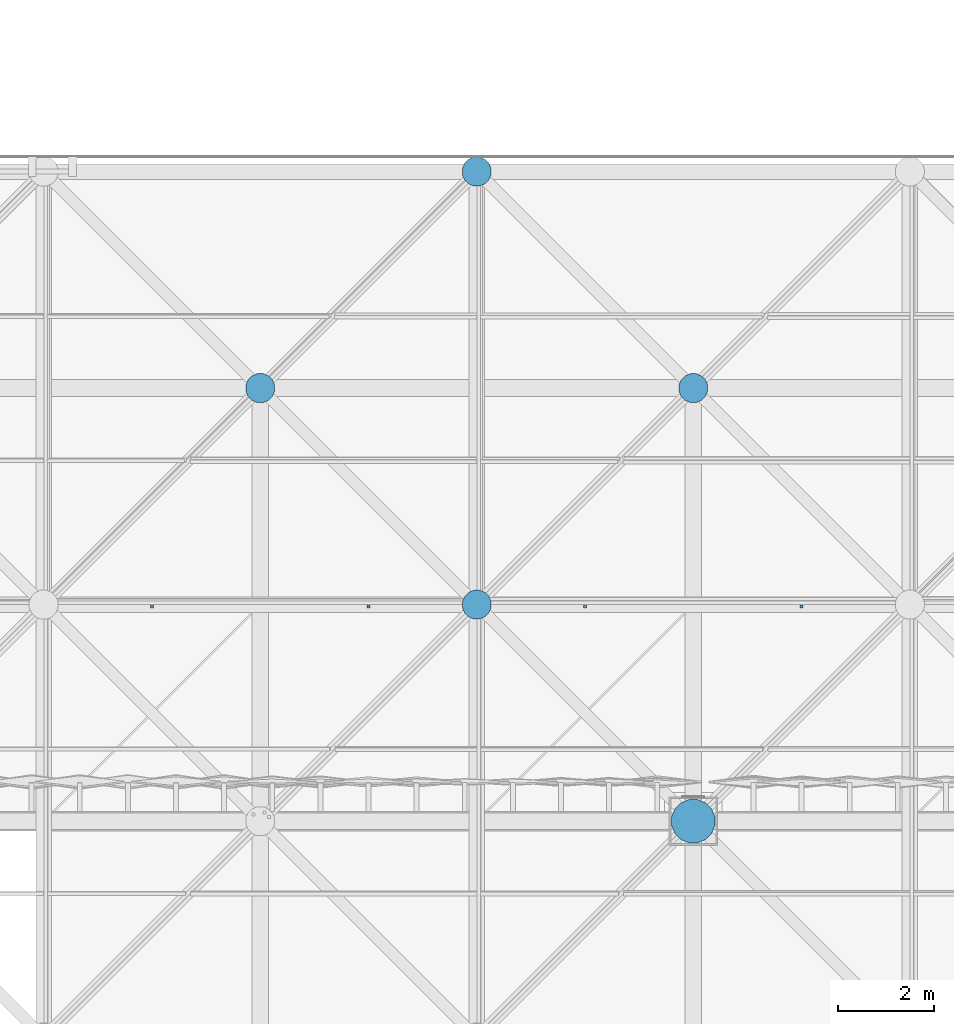
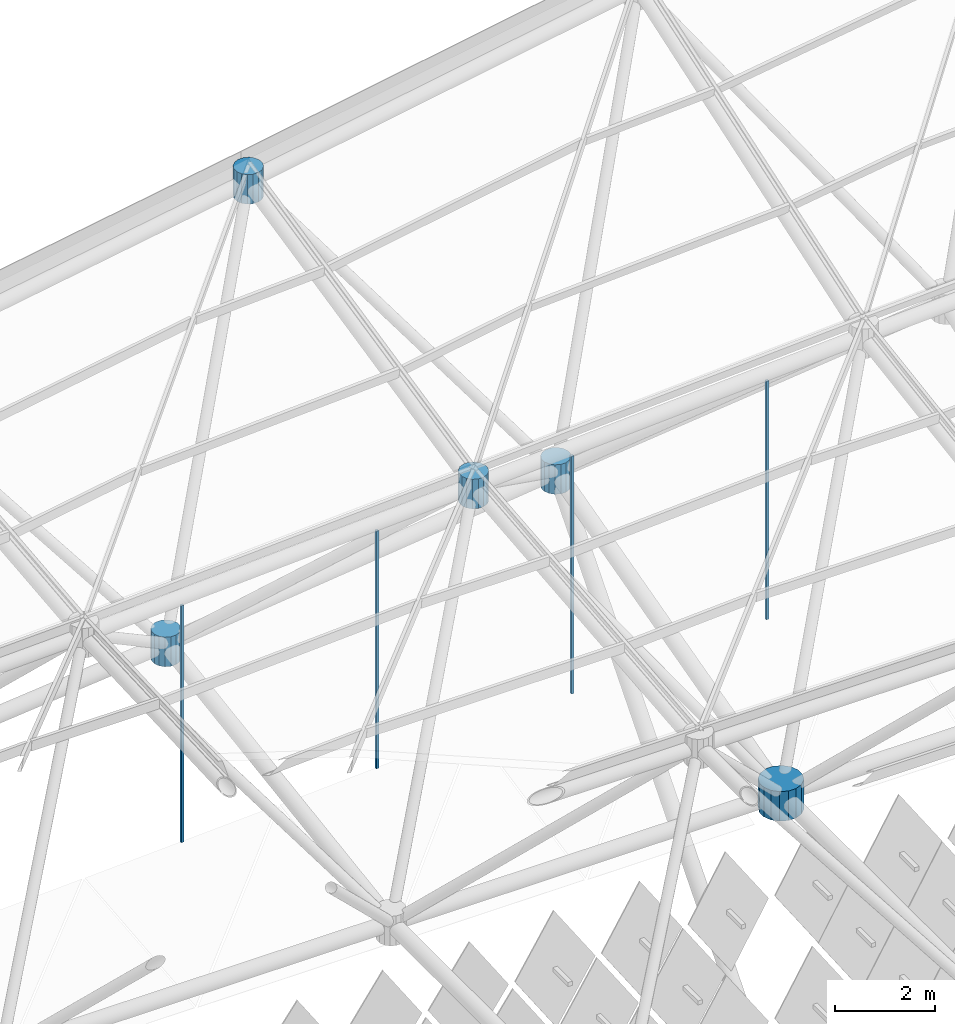
# One storey, part 332 of 437: 9 discrete accessories.
"""IFC4 building model written with IfcOpenShell, lengths in metres."""

from ifc_helpers import new_model, si_unit, direction, frame, origin, place, context, subcontext, project, spatial, polyline, outline, extrude, material, type_object, element, save


model = new_model("IFC4")

# Units and contexts
model_context = context("Model", 3, precision=1e-05, world=origin(), true_north=direction((0.0, 1.0)))
body_context = subcontext(model_context, "Body", "Model", "MODEL_VIEW")
ifc_project = project(units=[si_unit("LENGTHUNIT", "METRE"), si_unit("AREAUNIT", "SQUARE_METRE"), si_unit("VOLUMEUNIT", "CUBIC_METRE"), si_unit("PLANEANGLEUNIT", "RADIAN"), si_unit("MASSUNIT", "GRAM", prefix="KILO")], contexts=[model_context])

# Site, building, storey
site_placement = place(None, origin())
site = spatial("IfcSite", under=ifc_project, at=site_placement, CompositionType="ELEMENT")
building_placement = place(site_placement, origin())
building = spatial("IfcBuilding", under=site, at=building_placement, Name="Opaline Strait Convention Centre", CompositionType="ELEMENT")
storey_placement = place(building_placement, frame((0.0, 0.0, 11.5)))
storey = spatial("IfcBuildingStorey", under=building, at=storey_placement, Name="L02", CompositionType="ELEMENT", Elevation=11.5)

# Discrete accessories
ifc_material_1 = material(Name="Steel Q355B", Category="steel")
discrete_accessory_type_1 = type_object("IfcDiscreteAccessoryType", Name="Soffit hanger 60x60 steel", PredefinedType="BRACKET", material=ifc_material_1)
discrete_accessory_1_placement = place(storey_placement, frame((0.0, 0.0, 12.551513671875)))
element("IfcDiscreteAccessory", 1, at=discrete_accessory_1_placement, inside=storey, type_object=discrete_accessory_type_1, Name="Soffit hanger", PredefinedType="BRACKET", context=body_context, shape_type="SweptSolid", body=[
    extrude(outline(polyline([(231.719970703125, 157.43505859375), (231.780029296875, 157.43505859375), (231.780029296875, 157.4951171875), (231.719970703125, 157.4951171875), (231.719970703125, 157.43505859375)])), origin(), (0.0, 0.0, 1.0), 5.78125),
])
discrete_accessory_2_placement = place(storey_placement, frame((0.0, 0.0, 12.7802734375)))
element("IfcDiscreteAccessory", 2, at=discrete_accessory_2_placement, inside=storey, type_object=discrete_accessory_type_1, Name="Soffit hanger", PredefinedType="BRACKET", context=body_context, shape_type="SweptSolid", body=[
    extrude(outline(polyline([(236.219970703125, 157.43505859375), (236.280029296875, 157.43505859375), (236.280029296875, 157.4951171875), (236.219970703125, 157.4951171875), (236.219970703125, 157.43505859375)])), origin(), (0.0, 0.0, 1.0), 5.796630859375),
])
discrete_accessory_3_placement = place(storey_placement, frame((0.0, 0.0, 13.026611328125)))
element("IfcDiscreteAccessory", 3, at=discrete_accessory_3_placement, inside=storey, type_object=discrete_accessory_type_1, Name="Soffit hanger", PredefinedType="BRACKET", context=body_context, shape_type="SweptSolid", body=[
    extrude(outline(polyline([(240.719970703125, 157.43505859375), (240.780029296875, 157.43505859375), (240.780029296875, 157.4951171875), (240.719970703125, 157.4951171875), (240.719970703125, 157.43505859375)])), origin(), (0.0, 0.0, 1.0), 5.800048828125),
])
discrete_accessory_4_placement = place(storey_placement, frame((0.0, 0.0, 13.264892578125)))
element("IfcDiscreteAccessory", 4, at=discrete_accessory_4_placement, inside=storey, type_object=discrete_accessory_type_1, Name="Soffit hanger", PredefinedType="BRACKET", context=body_context, shape_type="SweptSolid", body=[
    extrude(outline(polyline([(245.219970703125, 157.43505859375), (245.280029296875, 157.43505859375), (245.280029296875, 157.4951171875), (245.219970703125, 157.4951171875), (245.219970703125, 157.43505859375)])), origin(), (0.0, 0.0, 1.0), 5.817626953125),
])
ifc_material_2 = material(Name="Cast steel ZG300-500H (300 MPa)", Category="steel")
discrete_accessory_type_2 = type_object("IfcDiscreteAccessoryType", Name="Space frame bearing node hub D900", PredefinedType="USERDEFINED", material=ifc_material_2)
discrete_accessory_5_placement = place(storey_placement, frame((0.0, 0.0, 12.139892578125)))
element("IfcDiscreteAccessory", 5, at=discrete_accessory_5_placement, inside=storey, type_object=discrete_accessory_type_2, Name="Bottom node 18/13", ObjectType="NODE HUB", PredefinedType="USERDEFINED", context=body_context, shape_type="SweptSolid", body=[
    extrude(outline(polyline([(243.449951171875, 153.089599609375), (243.381591796875, 153.2548828125), (243.2548828125, 153.381591796875), (243.089599609375, 153.449951171875), (242.910400390625, 153.449951171875), (242.7451171875, 153.381591796875), (242.618408203125, 153.2548828125), (242.550048828125, 153.089599609375), (242.550048828125, 152.910400390625), (242.618408203125, 152.7451171875), (242.7451171875, 152.618408203125), (242.910400390625, 152.550048828125), (243.089599609375, 152.550048828125), (243.2548828125, 152.618408203125), (243.381591796875, 152.7451171875), (243.449951171875, 152.910400390625), (243.449951171875, 153.089599609375)])), origin(), (0.0, 0.0, 1.0), 0.72021484375),
])
discrete_accessory_type_3 = type_object("IfcDiscreteAccessoryType", Name="Space frame node hub D600", PredefinedType="USERDEFINED", material=ifc_material_2)
discrete_accessory_6_placement = place(storey_placement, frame((0.0, 0.0, 18.501220703125)))
element("IfcDiscreteAccessory", 6, at=discrete_accessory_6_placement, inside=storey, type_object=discrete_accessory_type_3, Name="Top node 18/14", ObjectType="NODE HUB", PredefinedType="USERDEFINED", context=body_context, shape_type="SweptSolid", body=[
    extrude(outline(polyline([(238.800048828125, 157.559814453125), (238.75439453125, 157.669921875), (238.669921875, 157.75439453125), (238.559814453125, 157.800048828125), (238.440185546875, 157.800048828125), (238.330078125, 157.75439453125), (238.24560546875, 157.669921875), (238.199951171875, 157.559814453125), (238.199951171875, 157.440185546875), (238.24560546875, 157.330078125), (238.330078125, 157.24560546875), (238.440185546875, 157.199951171875), (238.559814453125, 157.199951171875), (238.669921875, 157.24560546875), (238.75439453125, 157.330078125), (238.800048828125, 157.440185546875), (238.800048828125, 157.559814453125)])), origin(), (0.0, 0.0, 1.0), 0.719970703125),
])
discrete_accessory_7_placement = place(storey_placement, frame((0.0, 0.0, 20.478759765625)))
element("IfcDiscreteAccessory", 7, at=discrete_accessory_7_placement, inside=storey, type_object=discrete_accessory_type_3, Name="Top node 18/15", ObjectType="NODE HUB", PredefinedType="USERDEFINED", context=body_context, shape_type="SweptSolid", body=[
    extrude(outline(polyline([(238.800048828125, 166.559814453125), (238.75439453125, 166.669921875), (238.669921875, 166.75439453125), (238.559814453125, 166.800048828125), (238.440185546875, 166.800048828125), (238.330078125, 166.75439453125), (238.24560546875, 166.669921875), (238.199951171875, 166.559814453125), (238.199951171875, 166.440185546875), (238.24560546875, 166.330078125), (238.330078125, 166.24560546875), (238.440185546875, 166.199951171875), (238.559814453125, 166.199951171875), (238.669921875, 166.24560546875), (238.75439453125, 166.330078125), (238.800048828125, 166.440185546875), (238.800048828125, 166.559814453125)])), origin(), (0.0, 0.0, 1.0), 0.719970703125),
])
discrete_accessory_8_placement = place(storey_placement, frame((0.0, 0.0, 13.49462890625)))
element("IfcDiscreteAccessory", 8, at=discrete_accessory_8_placement, inside=storey, type_object=discrete_accessory_type_3, Name="Bottom node 17/14", ObjectType="NODE HUB", PredefinedType="USERDEFINED", context=body_context, shape_type="SweptSolid", body=[
    extrude(outline(polyline([(234.300048828125, 162.059814453125), (234.25439453125, 162.169921875), (234.169921875, 162.25439453125), (234.059814453125, 162.300048828125), (233.940185546875, 162.300048828125), (233.830078125, 162.25439453125), (233.74560546875, 162.169921875), (233.699951171875, 162.059814453125), (233.699951171875, 161.940185546875), (233.74560546875, 161.830078125), (233.830078125, 161.74560546875), (233.940185546875, 161.699951171875), (234.059814453125, 161.699951171875), (234.169921875, 161.74560546875), (234.25439453125, 161.830078125), (234.300048828125, 161.940185546875), (234.300048828125, 162.059814453125)])), origin(), (0.0, 0.0, 1.0), 0.719970703125),
])
discrete_accessory_9_placement = place(storey_placement, frame((0.0, 0.0, 14.55078125)))
element("IfcDiscreteAccessory", 9, at=discrete_accessory_9_placement, inside=storey, type_object=discrete_accessory_type_3, Name="Bottom node 18/14", ObjectType="NODE HUB", PredefinedType="USERDEFINED", context=body_context, shape_type="SweptSolid", body=[
    extrude(outline(polyline([(243.300048828125, 162.059814453125), (243.25439453125, 162.169921875), (243.169921875, 162.25439453125), (243.059814453125, 162.300048828125), (242.940185546875, 162.300048828125), (242.830078125, 162.25439453125), (242.74560546875, 162.169921875), (242.699951171875, 162.059814453125), (242.699951171875, 161.940185546875), (242.74560546875, 161.830078125), (242.830078125, 161.74560546875), (242.940185546875, 161.699951171875), (243.059814453125, 161.699951171875), (243.169921875, 161.74560546875), (243.25439453125, 161.830078125), (243.300048828125, 161.940185546875), (243.300048828125, 162.059814453125)])), origin(), (0.0, 0.0, 1.0), 0.719970703125),
])

save(model, "model.ifc")
